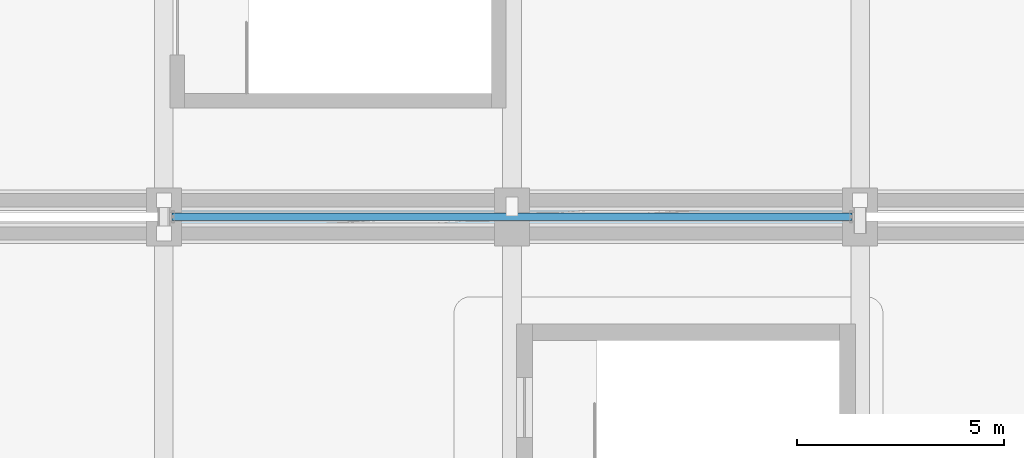
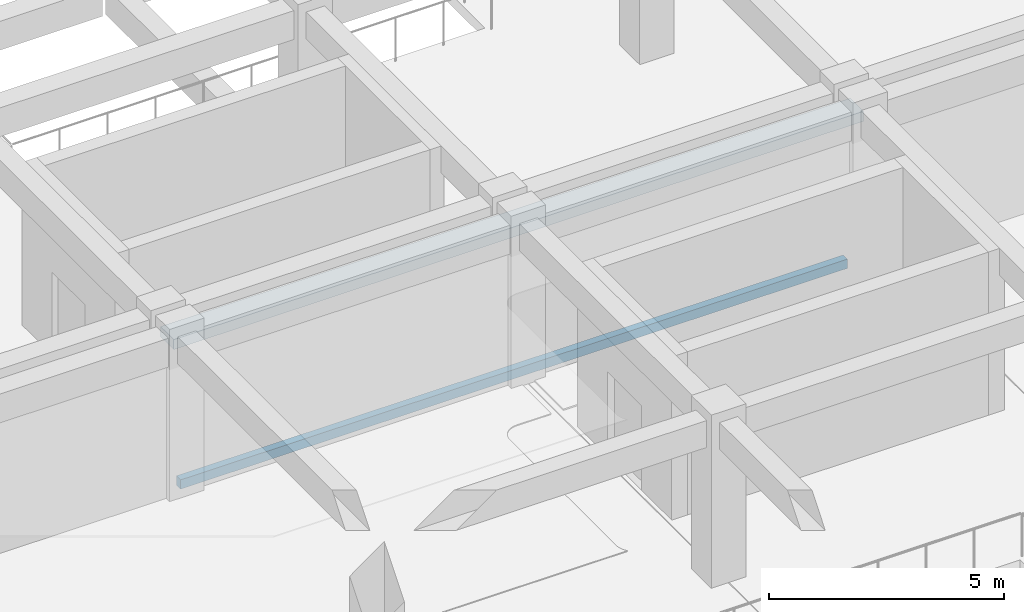
# One storey, part 93 of 129: 2 slabs.
"""IFC4 building model written with IfcOpenShell, lengths in metres."""

from ifc_helpers import new_model, si_unit, direction, frame, origin, place, context, subcontext, project, spatial, polyline, outline, extrude, material, layer, layer_set, type_object, element, save


model = new_model("IFC4")

# Units and contexts
model_context = context("Model", 3, precision=1e-05, world=origin(), true_north=direction((0.0, 1.0)))
body_context = subcontext(model_context, "Body", "Model", "MODEL_VIEW")
ifc_project = project(units=[si_unit("LENGTHUNIT", "METRE"), si_unit("AREAUNIT", "SQUARE_METRE"), si_unit("VOLUMEUNIT", "CUBIC_METRE"), si_unit("PLANEANGLEUNIT", "RADIAN"), si_unit("MASSUNIT", "GRAM", prefix="KILO")], contexts=[model_context])

# Site, building, storey
site_placement = place(None, origin())
site = spatial("IfcSite", under=ifc_project, at=site_placement, CompositionType="ELEMENT")
building_placement = place(site_placement, origin())
building = spatial("IfcBuilding", under=site, at=building_placement, Name="Xazarin Passage Department Store", CompositionType="ELEMENT")
storey_placement = place(building_placement, frame((0.0, 0.0, 9.89990234375)))
storey = spatial("IfcBuildingStorey", under=building, at=storey_placement, Name="L02", CompositionType="ELEMENT", Elevation=9.89990234375)

# Slabs
ifc_material = material(Name="Concrete C35/45", Category="concrete")
ifc_layer_1 = layer(ifc_material, 0.239990234375)
ifc_layer_set_1 = layer_set([ifc_layer_1], Name="Concrete C35/45")
slab_type_1 = type_object("IfcSlabType", Name="STR-SLB-BRG240", PredefinedType="FLOOR", material=ifc_layer_set_1)
slab_1_placement = place(storey_placement, frame((0.0, 0.0, -0.239990234375)))
element("IfcSlab", 1, at=slab_1_placement, inside=storey, type_object=slab_type_1, Name="L02 BR-V2S-V2N Bridge Floor Deck", PredefinedType="FLOOR", context=body_context, shape_type="SweptSolid", body=[
    extrude(outline(polyline([(76.60009765625, 50.7099609375), (93.0, 50.7099609375), (93.0, 50.889892578125), (76.60009765625, 50.889892578125), (76.60009765625, 50.7099609375)])), origin(), (0.0, 0.0, 1.0), 0.239990234375),
])
ifc_layer_2 = layer(ifc_material, 0.260009765625)
ifc_layer_set_2 = layer_set([ifc_layer_2], Name="Concrete C35/45")
slab_type_2 = type_object("IfcSlabType", Name="STR-SLB-RF260", PredefinedType="ROOF", material=ifc_layer_set_2)
slab_2_placement = place(storey_placement, frame((0.0, 0.0, 3.60009765625)))
element("IfcSlab", 2, at=slab_2_placement, inside=storey, type_object=slab_type_2, Name="L02 BR-V2S-V2N Bridge Roof Deck", PredefinedType="ROOF", context=body_context, shape_type="SweptSolid", body=[
    extrude(outline(polyline([(76.320068359375, 50.52001953125), (93.280029296875, 50.52001953125), (93.280029296875, 51.080078125), (76.320068359375, 51.080078125), (76.320068359375, 50.52001953125)])), origin(), (0.0, 0.0, 1.0), 0.260009765625),
])

save(model, "model.ifc")
